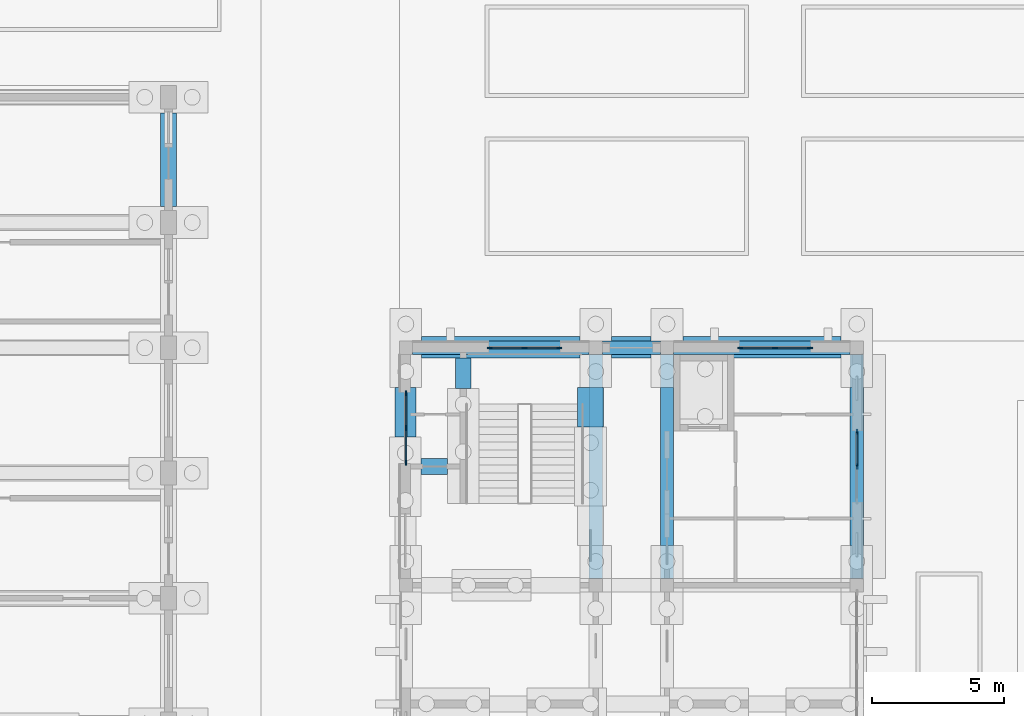
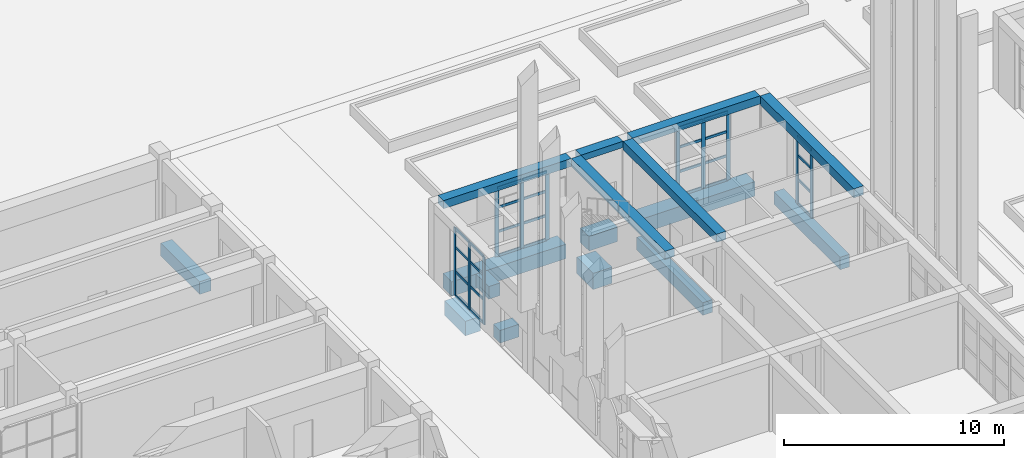
# One storey, part 29 of 161: 39 members, 16 beams, 4 elements without a shape of their own.
"""IFC4 building model written with IfcOpenShell, lengths in metres."""

from ifc_helpers import new_model, si_unit, direction, frame, origin, origin_2d, place, context, subcontext, project, spatial, rectangle, extrude, material, layer, layer_set, material_profile, profile_set, type_object, element, aggregate, save


model = new_model("IFC4")

# Units and contexts
model_context = context("Model", 3, precision=1e-05, world=origin(), true_north=direction((0.0, 1.0)))
body_context = subcontext(model_context, "Body", "Model", "MODEL_VIEW")
ifc_project = project(units=[si_unit("LENGTHUNIT", "METRE"), si_unit("AREAUNIT", "SQUARE_METRE"), si_unit("VOLUMEUNIT", "CUBIC_METRE"), si_unit("PLANEANGLEUNIT", "RADIAN"), si_unit("MASSUNIT", "GRAM", prefix="KILO")], contexts=[model_context])

# Site, building, storey
site_placement = place(None, origin())
site = spatial("IfcSite", under=ifc_project, at=site_placement, CompositionType="ELEMENT")
building_placement = place(site_placement, origin())
building = spatial("IfcBuilding", under=site, at=building_placement, Name="Elbe Cascade School", CompositionType="ELEMENT")
storey_placement = place(building_placement, origin())
storey = spatial("IfcBuildingStorey", under=building, at=storey_placement, Name="L00", CompositionType="ELEMENT", Elevation=0.0)

# Curtain wall, members
ifc_material_1 = material(Name="Aluminium frame with double glazing, bronze anodised", Category="aluminium")
ifc_layer = layer(ifc_material_1, 0.199951171875)
ifc_layer_set = layer_set([ifc_layer], Name="Aluminium frame with double glazing, bronze anodised")
curtain_wall_type = type_object("IfcCurtainWallType", Name="Bars envelope Curtain wall, aluminium, bronze anodised, ground floor tall run", PredefinedType="NOTDEFINED", material=ifc_layer_set)
curtain_wall_1_placement = place(storey_placement, origin())
curtain_wall_1 = element("IfcCurtainWall", 1, at=curtain_wall_1_placement, inside=storey, type_object=curtain_wall_type, Name="Curtain wall CW3 A.L00.w6", PredefinedType="NOTDEFINED")
ifc_material_2 = material(Name="Aluminium mullion, bronze anodised", Category="aluminium")
ifc_material_profile_1 = material_profile(ifc_material_2, rectangle(XDim=0.06005859375, YDim=0.199951171875, at=origin_2d()), Name="Bars envelope Curtain wall mullion 60 x 200, aluminium, ground floor tall run")
ifc_profile_set_1 = profile_set([ifc_material_profile_1], Name="Aluminium mullion, bronze anodised")
member_type_1 = type_object("IfcMemberType", Name="Bars envelope Curtain wall mullion 60 x 200, aluminium, ground floor tall run", PredefinedType="MULLION", material=ifc_profile_set_1)
member_1_placement = place(storey_placement, frame((69.0, 55.639892578125, 0.0), z_axis=(0.0, 0.0, 1.0), x_axis=(-1.0, 0.0, 0.0)))
member_1 = element("IfcMember", 2, at=member_1_placement, type_object=member_type_1, Name="CW3 mullion 1", PredefinedType="MULLION", context=body_context, shape_type="SweptSolid", body=[
    extrude(rectangle(XDim=0.06005859375, YDim=0.199951171875, at=origin_2d()), origin(), (0.0, 0.0, 1.0), 3.75),
])
member_2_placement = place(storey_placement, frame((69.0, 56.9599609375, 0.0), z_axis=(0.0, 0.0, 1.0), x_axis=(-1.0, 0.0, 0.0)))
member_2 = element("IfcMember", 3, at=member_2_placement, type_object=member_type_1, Name="CW3 mullion 2", PredefinedType="MULLION", context=body_context, shape_type="SweptSolid", body=[
    extrude(rectangle(XDim=0.06005859375, YDim=0.199951171875, at=origin_2d()), origin(), (0.0, 0.0, 1.0), 3.75),
])
member_3_placement = place(storey_placement, frame((69.0, 58.280029296875, 0.0), z_axis=(0.0, 0.0, 1.0), x_axis=(-1.0, 0.0, 0.0)))
member_3 = element("IfcMember", 4, at=member_3_placement, type_object=member_type_1, Name="CW3 mullion 3", PredefinedType="MULLION", context=body_context, shape_type="SweptSolid", body=[
    extrude(rectangle(XDim=0.06005859375, YDim=0.199951171875, at=origin_2d()), origin(), (0.0, 0.0, 1.0), 3.75),
])

curtain_wall_2_placement = place(storey_placement, origin())
curtain_wall_2 = element("IfcCurtainWall", 5, at=curtain_wall_2_placement, inside=storey, type_object=curtain_wall_type, Name="Curtain wall CW3 A.L00.e6", PredefinedType="NOTDEFINED")
member_4_placement = place(storey_placement, frame((86.10009765625, 56.820068359375, 0.0), z_axis=(0.0, 0.0, 1.0), x_axis=(1.0, 0.0, 0.0)))
member_4 = element("IfcMember", 6, at=member_4_placement, type_object=member_type_1, Name="CW3 mullion 1", PredefinedType="MULLION", context=body_context, shape_type="SweptSolid", body=[
    extrude(rectangle(XDim=0.06005859375, YDim=0.199951171875, at=origin_2d()), origin(), (0.0, 0.0, 1.0), 3.75),
])
member_5_placement = place(storey_placement, frame((86.10009765625, 55.5, 0.0), z_axis=(0.0, 0.0, 1.0), x_axis=(1.0, 0.0, 0.0)))
member_5 = element("IfcMember", 7, at=member_5_placement, type_object=member_type_1, Name="CW3 mullion 2", PredefinedType="MULLION", context=body_context, shape_type="SweptSolid", body=[
    extrude(rectangle(XDim=0.06005859375, YDim=0.199951171875, at=origin_2d()), origin(), (0.0, 0.0, 1.0), 3.75),
])

curtain_wall_3_placement = place(storey_placement, origin())
curtain_wall_3 = element("IfcCurtainWall", 8, at=curtain_wall_3_placement, inside=storey, type_object=curtain_wall_type, Name="Curtain wall CW3 A.L00.n1", PredefinedType="NOTDEFINED")
member_6_placement = place(storey_placement, frame((72.179931640625, 60.0, 0.0), z_axis=(0.0, 0.0, 1.0), x_axis=(0.0, 1.0, 0.0)))
member_6 = element("IfcMember", 9, at=member_6_placement, type_object=member_type_1, Name="CW3 mullion 1", PredefinedType="MULLION", context=body_context, shape_type="SweptSolid", body=[
    extrude(rectangle(XDim=0.06005859375, YDim=0.199951171875, at=origin_2d()), origin(), (0.0, 0.0, 1.0), 3.800048828125),
])
member_7_placement = place(storey_placement, frame((73.5, 60.0, 0.0), z_axis=(0.0, 0.0, 1.0), x_axis=(0.0, 1.0, 0.0)))
member_7 = element("IfcMember", 10, at=member_7_placement, type_object=member_type_1, Name="CW3 mullion 2", PredefinedType="MULLION", context=body_context, shape_type="SweptSolid", body=[
    extrude(rectangle(XDim=0.06005859375, YDim=0.199951171875, at=origin_2d()), origin(), (0.0, 0.0, 1.0), 3.800048828125),
])
member_8_placement = place(storey_placement, frame((74.820068359375, 60.0, 0.0), z_axis=(0.0, 0.0, 1.0), x_axis=(0.0, 1.0, 0.0)))
member_8 = element("IfcMember", 11, at=member_8_placement, type_object=member_type_1, Name="CW3 mullion 3", PredefinedType="MULLION", context=body_context, shape_type="SweptSolid", body=[
    extrude(rectangle(XDim=0.06005859375, YDim=0.199951171875, at=origin_2d()), origin(), (0.0, 0.0, 1.0), 3.800048828125),
])

curtain_wall_4_placement = place(storey_placement, origin())
curtain_wall_4 = element("IfcCurtainWall", 12, at=curtain_wall_4_placement, inside=storey, type_object=curtain_wall_type, Name="Curtain wall CW3 A.L00.n3", PredefinedType="NOTDEFINED")
member_9_placement = place(storey_placement, frame((81.679931640625, 60.0, 0.0), z_axis=(0.0, 0.0, 1.0), x_axis=(0.0, 1.0, 0.0)))
member_9 = element("IfcMember", 13, at=member_9_placement, type_object=member_type_1, Name="CW3 mullion 1", PredefinedType="MULLION", context=body_context, shape_type="SweptSolid", body=[
    extrude(rectangle(XDim=0.06005859375, YDim=0.199951171875, at=origin_2d()), origin(), (0.0, 0.0, 1.0), 3.800048828125),
])
member_10_placement = place(storey_placement, frame((83.0, 60.0, 0.0), z_axis=(0.0, 0.0, 1.0), x_axis=(0.0, 1.0, 0.0)))
member_10 = element("IfcMember", 14, at=member_10_placement, type_object=member_type_1, Name="CW3 mullion 2", PredefinedType="MULLION", context=body_context, shape_type="SweptSolid", body=[
    extrude(rectangle(XDim=0.06005859375, YDim=0.199951171875, at=origin_2d()), origin(), (0.0, 0.0, 1.0), 3.800048828125),
])
member_11_placement = place(storey_placement, frame((84.320068359375, 60.0, 0.0), z_axis=(0.0, 0.0, 1.0), x_axis=(0.0, 1.0, 0.0)))
member_11 = element("IfcMember", 15, at=member_11_placement, type_object=member_type_1, Name="CW3 mullion 3", PredefinedType="MULLION", context=body_context, shape_type="SweptSolid", body=[
    extrude(rectangle(XDim=0.06005859375, YDim=0.199951171875, at=origin_2d()), origin(), (0.0, 0.0, 1.0), 3.800048828125),
])

# Member
ifc_material_3 = material(Name="Aluminium transom, bronze anodised", Category="aluminium")
ifc_material_profile_2 = material_profile(ifc_material_3, rectangle(XDim=0.06005859375, YDim=0.139892578125, at=origin_2d()), Name="Bars envelope Curtain wall transom 60 x 140, aluminium, ground floor tall run")
ifc_profile_set_2 = profile_set([ifc_material_profile_2], Name="Aluminium transom, bronze anodised")
member_type_2 = type_object("IfcMemberType", Name="Bars envelope Curtain wall transom 60 x 140, aluminium, ground floor tall run", PredefinedType="USERDEFINED", material=ifc_profile_set_2)
member_12_placement = place(storey_placement, frame((69.0, 55.669921875, 0.030029296875), z_axis=(0.0, 1.0, 0.0), x_axis=(-1.0, 0.0, 0.0)))
member_12 = element("IfcMember", 16, at=member_12_placement, type_object=member_type_2, Name="CW3 transom 1.1", ObjectType="TRANSOM", PredefinedType="USERDEFINED", context=body_context, shape_type="SweptSolid", body=[
    extrude(rectangle(XDim=0.06005859375, YDim=0.139892578125, at=origin_2d()), origin(), (0.0, 0.0, 1.0), 1.260009765625),
])

member_13_placement = place(storey_placement, frame((69.0, 55.669921875, 1.35009765625), z_axis=(0.0, 1.0, 0.0), x_axis=(-1.0, 0.0, 0.0)))
member_13 = element("IfcMember", 17, at=member_13_placement, type_object=member_type_2, Name="CW3 transom 1.2", ObjectType="TRANSOM", PredefinedType="USERDEFINED", context=body_context, shape_type="SweptSolid", body=[
    extrude(rectangle(XDim=0.06005859375, YDim=0.139892578125, at=origin_2d()), origin(), (0.0, 0.0, 1.0), 1.260009765625),
])

member_14_placement = place(storey_placement, frame((69.0, 55.669921875, 2.699951171875), z_axis=(0.0, 1.0, 0.0), x_axis=(-1.0, 0.0, 0.0)))
member_14 = element("IfcMember", 18, at=member_14_placement, type_object=member_type_2, Name="CW3 transom 1.3", ObjectType="TRANSOM", PredefinedType="USERDEFINED", context=body_context, shape_type="SweptSolid", body=[
    extrude(rectangle(XDim=0.06005859375, YDim=0.139892578125, at=origin_2d()), origin(), (0.0, 0.0, 1.0), 1.260009765625),
])

member_15_placement = place(storey_placement, frame((69.0, 55.669921875, 3.719970703125), z_axis=(0.0, 1.0, 0.0), x_axis=(-1.0, 0.0, 0.0)))
member_15 = element("IfcMember", 19, at=member_15_placement, type_object=member_type_2, Name="CW3 transom 1.4", ObjectType="TRANSOM", PredefinedType="USERDEFINED", context=body_context, shape_type="SweptSolid", body=[
    extrude(rectangle(XDim=0.06005859375, YDim=0.139892578125, at=origin_2d()), origin(), (0.0, 0.0, 1.0), 1.260009765625),
])

member_16_placement = place(storey_placement, frame((69.0, 56.989990234375, 0.030029296875), z_axis=(0.0, 1.0, 0.0), x_axis=(-1.0, 0.0, 0.0)))
member_16 = element("IfcMember", 20, at=member_16_placement, type_object=member_type_2, Name="CW3 transom 2.1", ObjectType="TRANSOM", PredefinedType="USERDEFINED", context=body_context, shape_type="SweptSolid", body=[
    extrude(rectangle(XDim=0.06005859375, YDim=0.139892578125, at=origin_2d()), origin(), (0.0, 0.0, 1.0), 1.260009765625),
])

member_17_placement = place(storey_placement, frame((69.0, 56.989990234375, 1.35009765625), z_axis=(0.0, 1.0, 0.0), x_axis=(-1.0, 0.0, 0.0)))
member_17 = element("IfcMember", 21, at=member_17_placement, type_object=member_type_2, Name="CW3 transom 2.2", ObjectType="TRANSOM", PredefinedType="USERDEFINED", context=body_context, shape_type="SweptSolid", body=[
    extrude(rectangle(XDim=0.06005859375, YDim=0.139892578125, at=origin_2d()), origin(), (0.0, 0.0, 1.0), 1.260009765625),
])

member_18_placement = place(storey_placement, frame((69.0, 56.989990234375, 2.699951171875), z_axis=(0.0, 1.0, 0.0), x_axis=(-1.0, 0.0, 0.0)))
member_18 = element("IfcMember", 22, at=member_18_placement, type_object=member_type_2, Name="CW3 transom 2.3", ObjectType="TRANSOM", PredefinedType="USERDEFINED", context=body_context, shape_type="SweptSolid", body=[
    extrude(rectangle(XDim=0.06005859375, YDim=0.139892578125, at=origin_2d()), origin(), (0.0, 0.0, 1.0), 1.260009765625),
])

member_19_placement = place(storey_placement, frame((69.0, 56.989990234375, 3.719970703125), z_axis=(0.0, 1.0, 0.0), x_axis=(-1.0, 0.0, 0.0)))
member_19 = element("IfcMember", 23, at=member_19_placement, type_object=member_type_2, Name="CW3 transom 2.4", ObjectType="TRANSOM", PredefinedType="USERDEFINED", context=body_context, shape_type="SweptSolid", body=[
    extrude(rectangle(XDim=0.06005859375, YDim=0.139892578125, at=origin_2d()), origin(), (0.0, 0.0, 1.0), 1.260009765625),
])

aggregate(curtain_wall_1, [member_1, member_2, member_3, member_12, member_13, member_14, member_15, member_16, member_17, member_18, member_19])

member_20_placement = place(storey_placement, frame((86.10009765625, 56.7900390625, 0.030029296875), z_axis=(0.0, -1.0, 0.0), x_axis=(1.0, 0.0, 0.0)))
member_20 = element("IfcMember", 24, at=member_20_placement, type_object=member_type_2, Name="CW3 transom 1.1", ObjectType="TRANSOM", PredefinedType="USERDEFINED", context=body_context, shape_type="SweptSolid", body=[
    extrude(rectangle(XDim=0.06005859375, YDim=0.139892578125, at=origin_2d()), origin(), (0.0, 0.0, 1.0), 1.260009765625),
])

member_21_placement = place(storey_placement, frame((86.10009765625, 56.7900390625, 1.35009765625), z_axis=(0.0, -1.0, 0.0), x_axis=(1.0, 0.0, 0.0)))
member_21 = element("IfcMember", 25, at=member_21_placement, type_object=member_type_2, Name="CW3 transom 1.2", ObjectType="TRANSOM", PredefinedType="USERDEFINED", context=body_context, shape_type="SweptSolid", body=[
    extrude(rectangle(XDim=0.06005859375, YDim=0.139892578125, at=origin_2d()), origin(), (0.0, 0.0, 1.0), 1.260009765625),
])

member_22_placement = place(storey_placement, frame((86.10009765625, 56.7900390625, 2.699951171875), z_axis=(0.0, -1.0, 0.0), x_axis=(1.0, 0.0, 0.0)))
member_22 = element("IfcMember", 26, at=member_22_placement, type_object=member_type_2, Name="CW3 transom 1.3", ObjectType="TRANSOM", PredefinedType="USERDEFINED", context=body_context, shape_type="SweptSolid", body=[
    extrude(rectangle(XDim=0.06005859375, YDim=0.139892578125, at=origin_2d()), origin(), (0.0, 0.0, 1.0), 1.260009765625),
])

member_23_placement = place(storey_placement, frame((86.10009765625, 56.7900390625, 3.719970703125), z_axis=(0.0, -1.0, 0.0), x_axis=(1.0, 0.0, 0.0)))
member_23 = element("IfcMember", 27, at=member_23_placement, type_object=member_type_2, Name="CW3 transom 1.4", ObjectType="TRANSOM", PredefinedType="USERDEFINED", context=body_context, shape_type="SweptSolid", body=[
    extrude(rectangle(XDim=0.06005859375, YDim=0.139892578125, at=origin_2d()), origin(), (0.0, 0.0, 1.0), 1.260009765625),
])

aggregate(curtain_wall_2, [member_4, member_5, member_20, member_21, member_22, member_23])

member_24_placement = place(storey_placement, frame((72.2099609375, 60.0, 0.030029296875), z_axis=(1.0, 0.0, 0.0), x_axis=(0.0, 1.0, 0.0)))
member_24 = element("IfcMember", 28, at=member_24_placement, type_object=member_type_2, Name="CW3 transom 1.1", ObjectType="TRANSOM", PredefinedType="USERDEFINED", context=body_context, shape_type="SweptSolid", body=[
    extrude(rectangle(XDim=0.06005859375, YDim=0.139892578125, at=origin_2d()), origin(), (0.0, 0.0, 1.0), 1.260009765625),
])

member_25_placement = place(storey_placement, frame((72.2099609375, 60.0, 1.35009765625), z_axis=(1.0, 0.0, 0.0), x_axis=(0.0, 1.0, 0.0)))
member_25 = element("IfcMember", 29, at=member_25_placement, type_object=member_type_2, Name="CW3 transom 1.2", ObjectType="TRANSOM", PredefinedType="USERDEFINED", context=body_context, shape_type="SweptSolid", body=[
    extrude(rectangle(XDim=0.06005859375, YDim=0.139892578125, at=origin_2d()), origin(), (0.0, 0.0, 1.0), 1.260009765625),
])

member_26_placement = place(storey_placement, frame((72.2099609375, 60.0, 2.699951171875), z_axis=(1.0, 0.0, 0.0), x_axis=(0.0, 1.0, 0.0)))
member_26 = element("IfcMember", 30, at=member_26_placement, type_object=member_type_2, Name="CW3 transom 1.3", ObjectType="TRANSOM", PredefinedType="USERDEFINED", context=body_context, shape_type="SweptSolid", body=[
    extrude(rectangle(XDim=0.06005859375, YDim=0.139892578125, at=origin_2d()), origin(), (0.0, 0.0, 1.0), 1.260009765625),
])

member_27_placement = place(storey_placement, frame((72.2099609375, 60.0, 3.77001953125), z_axis=(1.0, 0.0, 0.0), x_axis=(0.0, 1.0, 0.0)))
member_27 = element("IfcMember", 31, at=member_27_placement, type_object=member_type_2, Name="CW3 transom 1.4", ObjectType="TRANSOM", PredefinedType="USERDEFINED", context=body_context, shape_type="SweptSolid", body=[
    extrude(rectangle(XDim=0.06005859375, YDim=0.139892578125, at=origin_2d()), origin(), (0.0, 0.0, 1.0), 1.260009765625),
])

member_28_placement = place(storey_placement, frame((73.530029296875, 60.0, 0.030029296875), z_axis=(1.0, 0.0, 0.0), x_axis=(0.0, 1.0, 0.0)))
member_28 = element("IfcMember", 32, at=member_28_placement, type_object=member_type_2, Name="CW3 transom 2.1", ObjectType="TRANSOM", PredefinedType="USERDEFINED", context=body_context, shape_type="SweptSolid", body=[
    extrude(rectangle(XDim=0.06005859375, YDim=0.139892578125, at=origin_2d()), origin(), (0.0, 0.0, 1.0), 1.260009765625),
])

member_29_placement = place(storey_placement, frame((73.530029296875, 60.0, 1.35009765625), z_axis=(1.0, 0.0, 0.0), x_axis=(0.0, 1.0, 0.0)))
member_29 = element("IfcMember", 33, at=member_29_placement, type_object=member_type_2, Name="CW3 transom 2.2", ObjectType="TRANSOM", PredefinedType="USERDEFINED", context=body_context, shape_type="SweptSolid", body=[
    extrude(rectangle(XDim=0.06005859375, YDim=0.139892578125, at=origin_2d()), origin(), (0.0, 0.0, 1.0), 1.260009765625),
])

member_30_placement = place(storey_placement, frame((73.530029296875, 60.0, 2.699951171875), z_axis=(1.0, 0.0, 0.0), x_axis=(0.0, 1.0, 0.0)))
member_30 = element("IfcMember", 34, at=member_30_placement, type_object=member_type_2, Name="CW3 transom 2.3", ObjectType="TRANSOM", PredefinedType="USERDEFINED", context=body_context, shape_type="SweptSolid", body=[
    extrude(rectangle(XDim=0.06005859375, YDim=0.139892578125, at=origin_2d()), origin(), (0.0, 0.0, 1.0), 1.260009765625),
])

member_31_placement = place(storey_placement, frame((73.530029296875, 60.0, 3.77001953125), z_axis=(1.0, 0.0, 0.0), x_axis=(0.0, 1.0, 0.0)))
member_31 = element("IfcMember", 35, at=member_31_placement, type_object=member_type_2, Name="CW3 transom 2.4", ObjectType="TRANSOM", PredefinedType="USERDEFINED", context=body_context, shape_type="SweptSolid", body=[
    extrude(rectangle(XDim=0.06005859375, YDim=0.139892578125, at=origin_2d()), origin(), (0.0, 0.0, 1.0), 1.260009765625),
])

aggregate(curtain_wall_3, [member_6, member_7, member_8, member_24, member_25, member_26, member_27, member_28, member_29, member_30, member_31])

member_32_placement = place(storey_placement, frame((81.7099609375, 60.0, 0.030029296875), z_axis=(1.0, 0.0, 0.0), x_axis=(0.0, 1.0, 0.0)))
member_32 = element("IfcMember", 36, at=member_32_placement, type_object=member_type_2, Name="CW3 transom 1.1", ObjectType="TRANSOM", PredefinedType="USERDEFINED", context=body_context, shape_type="SweptSolid", body=[
    extrude(rectangle(XDim=0.06005859375, YDim=0.139892578125, at=origin_2d()), origin(), (0.0, 0.0, 1.0), 1.260009765625),
])

member_33_placement = place(storey_placement, frame((81.7099609375, 60.0, 1.35009765625), z_axis=(1.0, 0.0, 0.0), x_axis=(0.0, 1.0, 0.0)))
member_33 = element("IfcMember", 37, at=member_33_placement, type_object=member_type_2, Name="CW3 transom 1.2", ObjectType="TRANSOM", PredefinedType="USERDEFINED", context=body_context, shape_type="SweptSolid", body=[
    extrude(rectangle(XDim=0.06005859375, YDim=0.139892578125, at=origin_2d()), origin(), (0.0, 0.0, 1.0), 1.260009765625),
])

member_34_placement = place(storey_placement, frame((81.7099609375, 60.0, 2.699951171875), z_axis=(1.0, 0.0, 0.0), x_axis=(0.0, 1.0, 0.0)))
member_34 = element("IfcMember", 38, at=member_34_placement, type_object=member_type_2, Name="CW3 transom 1.3", ObjectType="TRANSOM", PredefinedType="USERDEFINED", context=body_context, shape_type="SweptSolid", body=[
    extrude(rectangle(XDim=0.06005859375, YDim=0.139892578125, at=origin_2d()), origin(), (0.0, 0.0, 1.0), 1.260009765625),
])

member_35_placement = place(storey_placement, frame((81.7099609375, 60.0, 3.77001953125), z_axis=(1.0, 0.0, 0.0), x_axis=(0.0, 1.0, 0.0)))
member_35 = element("IfcMember", 39, at=member_35_placement, type_object=member_type_2, Name="CW3 transom 1.4", ObjectType="TRANSOM", PredefinedType="USERDEFINED", context=body_context, shape_type="SweptSolid", body=[
    extrude(rectangle(XDim=0.06005859375, YDim=0.139892578125, at=origin_2d()), origin(), (0.0, 0.0, 1.0), 1.260009765625),
])

member_36_placement = place(storey_placement, frame((83.030029296875, 60.0, 0.030029296875), z_axis=(1.0, 0.0, 0.0), x_axis=(0.0, 1.0, 0.0)))
member_36 = element("IfcMember", 40, at=member_36_placement, type_object=member_type_2, Name="CW3 transom 2.1", ObjectType="TRANSOM", PredefinedType="USERDEFINED", context=body_context, shape_type="SweptSolid", body=[
    extrude(rectangle(XDim=0.06005859375, YDim=0.139892578125, at=origin_2d()), origin(), (0.0, 0.0, 1.0), 1.260009765625),
])

member_37_placement = place(storey_placement, frame((83.030029296875, 60.0, 1.35009765625), z_axis=(1.0, 0.0, 0.0), x_axis=(0.0, 1.0, 0.0)))
member_37 = element("IfcMember", 41, at=member_37_placement, type_object=member_type_2, Name="CW3 transom 2.2", ObjectType="TRANSOM", PredefinedType="USERDEFINED", context=body_context, shape_type="SweptSolid", body=[
    extrude(rectangle(XDim=0.06005859375, YDim=0.139892578125, at=origin_2d()), origin(), (0.0, 0.0, 1.0), 1.260009765625),
])

member_38_placement = place(storey_placement, frame((83.030029296875, 60.0, 2.699951171875), z_axis=(1.0, 0.0, 0.0), x_axis=(0.0, 1.0, 0.0)))
member_38 = element("IfcMember", 42, at=member_38_placement, type_object=member_type_2, Name="CW3 transom 2.3", ObjectType="TRANSOM", PredefinedType="USERDEFINED", context=body_context, shape_type="SweptSolid", body=[
    extrude(rectangle(XDim=0.06005859375, YDim=0.139892578125, at=origin_2d()), origin(), (0.0, 0.0, 1.0), 1.260009765625),
])

member_39_placement = place(storey_placement, frame((83.030029296875, 60.0, 3.77001953125), z_axis=(1.0, 0.0, 0.0), x_axis=(0.0, 1.0, 0.0)))
member_39 = element("IfcMember", 43, at=member_39_placement, type_object=member_type_2, Name="CW3 transom 2.4", ObjectType="TRANSOM", PredefinedType="USERDEFINED", context=body_context, shape_type="SweptSolid", body=[
    extrude(rectangle(XDim=0.06005859375, YDim=0.139892578125, at=origin_2d()), origin(), (0.0, 0.0, 1.0), 1.260009765625),
])

aggregate(curtain_wall_4, [member_9, member_10, member_11, member_32, member_33, member_34, member_35, member_36, member_37, member_38, member_39])

# Beams
ifc_material_4 = material(Name="Concrete C30/37", Category="concrete")
ifc_material_profile_3 = material_profile(ifc_material_4, rectangle(XDim=1.0, YDim=0.89990234375, at=origin_2d()), Name="RC 1000x900")
ifc_profile_set_3 = profile_set([ifc_material_profile_3], Name="Concrete C30/37")
beam_type_1 = type_object("IfcBeamType", Name="Found ground beam RC 1000x900", PredefinedType="BEAM", material=ifc_profile_set_3)
beam_1_placement = place(storey_placement, frame((76.0, 57.0, -0.75), z_axis=(0.0, 1.0, 0.0), x_axis=(-1.0, 0.0, 0.0)))
element("IfcBeam", 44, at=beam_1_placement, inside=storey, type_object=beam_type_1, Name="Ground beam 053", PredefinedType="BEAM", context=body_context, shape_type="SweptSolid", body=[
    extrude(rectangle(XDim=1.0, YDim=0.89990234375, at=origin_2d()), origin(), (0.0, 0.0, 1.0), 1.5),
])
ifc_material_5 = material(Name="Concrete C30/37", Category="concrete")
ifc_material_profile_4 = material_profile(ifc_material_5, rectangle(XDim=0.5, YDim=0.699951171875, at=origin_2d()), Name="RC 500x700")
ifc_profile_set_4 = profile_set([ifc_material_profile_4], Name="Concrete C30/37")
beam_type_2 = type_object("IfcBeamType", Name="Found ground beam RC 500x700", PredefinedType="BEAM", material=ifc_profile_set_4)
for number, where, z_axis, x_axis, name in (
    (45, (78.89990234375, 52.5, -0.64990234375), (0.0, 1.0, 0.0), (-1.0, 0.0, 0.0), "Ground beam 202"),
    (46, (86.10009765625, 52.5, -0.64990234375), (0.0, 1.0, 0.0), (-1.0, 0.0, 0.0), "Ground beam 209"),
):
    element("IfcBeam", number, at=place(storey_placement, frame(where, z_axis=z_axis, x_axis=x_axis)), inside=storey, type_object=beam_type_2, Name=name, PredefinedType="BEAM", context=body_context, shape_type="SweptSolid", body=[
        extrude(rectangle(XDim=0.5, YDim=0.699951171875, at=origin_2d()), origin(), (0.0, 0.0, 1.0), 6.0),
    ])
ifc_material_6 = material(Name="Concrete C30/37", Category="concrete")
ifc_material_profile_5 = material_profile(ifc_material_6, rectangle(XDim=0.60009765625, YDim=0.699951171875, at=origin_2d()), Name="RC 600x700")
ifc_profile_set_5 = profile_set([ifc_material_profile_5], Name="Concrete C30/37")
beam_type_3 = type_object("IfcBeamType", Name="Found ground beam RC 600x700", PredefinedType="BEAM", material=ifc_profile_set_5)
beam_2_placement = place(storey_placement, frame((60.0, 65.35009765625, -0.64990234375), z_axis=(0.0, 1.0, 0.0), x_axis=(-1.0, 0.0, 0.0)))
element("IfcBeam", 47, at=beam_2_placement, inside=storey, type_object=beam_type_3, Name="Ground beam 095", PredefinedType="BEAM", context=body_context, shape_type="SweptSolid", body=[
    extrude(rectangle(XDim=0.60009765625, YDim=0.699951171875, at=origin_2d()), origin(), (0.0, 0.0, 1.0), 3.5498046875),
])
beam_3_placement = place(storey_placement, frame((71.175048828125, 58.4599609375, -0.64990234375), z_axis=(0.0, 1.0, 0.0), x_axis=(-1.0, 0.0, 0.0)))
element("IfcBeam", 48, at=beam_3_placement, inside=storey, type_object=beam_type_3, Name="Ground beam 164", PredefinedType="BEAM", context=body_context, shape_type="SweptSolid", body=[
    extrude(rectangle(XDim=0.60009765625, YDim=0.699951171875, at=origin_2d()), origin(), (0.0, 0.0, 1.0), 1.16015625),
])
beam_4_placement = place(storey_placement, frame((69.580078125, 55.5, -0.64990234375), z_axis=(1.0, 0.0, 0.0), x_axis=(0.0, 1.0, 0.0)))
element("IfcBeam", 49, at=beam_4_placement, inside=storey, type_object=beam_type_3, Name="Ground beam 177", PredefinedType="BEAM", context=body_context, shape_type="SweptSolid", body=[
    extrude(rectangle(XDim=0.60009765625, YDim=0.699951171875, at=origin_2d()), origin(), (0.0, 0.0, 1.0), 0.994873046875),
])
ifc_material_7 = material(Name="Concrete C30/37", Category="concrete")
ifc_material_profile_6 = material_profile(ifc_material_7, rectangle(XDim=0.800048828125, YDim=0.800048828125, at=origin_2d()), Name="RC 800x800")
ifc_profile_set_6 = profile_set([ifc_material_profile_6], Name="Concrete C30/37")
beam_type_4 = type_object("IfcBeamType", Name="Found ground beam RC 800x800", PredefinedType="BEAM", material=ifc_profile_set_6)
beam_5_placement = place(storey_placement, frame((69.60009765625, 60.02001953125, -0.699951171875), z_axis=(1.0, 0.0, 0.0), x_axis=(0.0, 1.0, 0.0)))
element("IfcBeam", 50, at=beam_5_placement, inside=storey, type_object=beam_type_4, Name="Ground beam 065", PredefinedType="BEAM", context=body_context, shape_type="SweptSolid", body=[
    extrude(rectangle(XDim=0.800048828125, YDim=0.800048828125, at=origin_2d()), origin(), (0.0, 0.0, 1.0), 6.0),
])
beam_6_placement = place(storey_placement, frame((76.800048828125, 60.02001953125, -0.699951171875), z_axis=(1.0, 0.0, 0.0), x_axis=(0.0, 1.0, 0.0)))
element("IfcBeam", 51, at=beam_6_placement, inside=storey, type_object=beam_type_4, Name="Ground beam 066", PredefinedType="BEAM", context=body_context, shape_type="SweptSolid", body=[
    extrude(rectangle(XDim=0.800048828125, YDim=0.800048828125, at=origin_2d()), origin(), (0.0, 0.0, 1.0), 1.5),
])
beam_7_placement = place(storey_placement, frame((79.5, 60.02001953125, -0.699951171875), z_axis=(1.0, 0.0, 0.0), x_axis=(0.0, 1.0, 0.0)))
element("IfcBeam", 52, at=beam_7_placement, inside=storey, type_object=beam_type_4, Name="Ground beam 067", PredefinedType="BEAM", context=body_context, shape_type="SweptSolid", body=[
    extrude(rectangle(XDim=0.800048828125, YDim=0.800048828125, at=origin_2d()), origin(), (0.0, 0.0, 1.0), 6.0),
])
beam_8_placement = place(storey_placement, frame((68.97998046875, 56.610107421875, -0.699951171875), z_axis=(0.0, 1.0, 0.0), x_axis=(-1.0, 0.0, 0.0)))
element("IfcBeam", 53, at=beam_8_placement, inside=storey, type_object=beam_type_4, Name="Ground beam 079", PredefinedType="BEAM", context=body_context, shape_type="SweptSolid", body=[
    extrude(rectangle(XDim=0.800048828125, YDim=0.800048828125, at=origin_2d()), origin(), (0.0, 0.0, 1.0), 1.889892578125),
])
ifc_material_8 = material(Name="Concrete C30/37", Category="concrete")
ifc_material_profile_7 = material_profile(ifc_material_8, rectangle(XDim=0.5, YDim=0.35009765625, at=origin_2d()), Name="RC 500x350")
ifc_profile_set_7 = profile_set([ifc_material_profile_7], Name="Concrete C30/37")
beam_type_5 = type_object("IfcBeamType", Name="RC 500x350 beam", PredefinedType="BEAM", material=ifc_profile_set_7)
beam_9_placement = place(storey_placement, frame((76.449951171875, 60.0, 4.074951171875), z_axis=(1.0, 0.0, 0.0), x_axis=(0.0, 1.0, 0.0)))
element("IfcBeam", 54, at=beam_9_placement, inside=storey, type_object=beam_type_5, Name="RC 500x350 beam B8", PredefinedType="BEAM", context=body_context, shape_type="SweptSolid", body=[
    extrude(rectangle(XDim=0.5, YDim=0.35009765625, at=origin_2d()), origin(), (0.0, 0.0, 1.0), 2.199951171875),
])
ifc_material_9 = material(Name="Concrete C30/37", Category="concrete")
ifc_material_profile_8 = material_profile(ifc_material_9, rectangle(XDim=0.5, YDim=0.449951171875, at=origin_2d()), Name="RC 500x450")
ifc_profile_set_8 = profile_set([ifc_material_profile_8], Name="Concrete C30/37")
beam_type_6 = type_object("IfcBeamType", Name="RC 500x450 beam", PredefinedType="BEAM", material=ifc_profile_set_8)
for number, where, z_axis, x_axis, name in (
    (55, (76.199951171875, 51.25, 4.02490234375), (0.0, 1.0, 0.0), (-1.0, 0.0, 0.0), "RC 500x450 beam B7"),
    (56, (78.89990234375, 51.25, 4.02490234375), (0.0, 1.0, 0.0), (-1.0, 0.0, 0.0), "RC 500x450 beam B7"),
):
    element("IfcBeam", number, at=place(storey_placement, frame(where, z_axis=z_axis, x_axis=x_axis)), inside=storey, type_object=beam_type_6, Name=name, PredefinedType="BEAM", context=body_context, shape_type="SweptSolid", body=[
        extrude(rectangle(XDim=0.5, YDim=0.449951171875, at=origin_2d()), origin(), (0.0, 0.0, 1.0), 8.5),
    ])
beam_10_placement = place(storey_placement, frame((69.25, 60.0, 4.02490234375), z_axis=(1.0, 0.0, 0.0), x_axis=(0.0, 1.0, 0.0)))
element("IfcBeam", 57, at=beam_10_placement, inside=storey, type_object=beam_type_6, Name="RC 500x450 beam B7", PredefinedType="BEAM", context=body_context, shape_type="SweptSolid", body=[
    extrude(rectangle(XDim=0.5, YDim=0.449951171875, at=origin_2d()), origin(), (0.0, 0.0, 1.0), 6.699951171875),
])
beam_11_placement = place(storey_placement, frame((79.14990234375, 60.0, 4.02490234375), z_axis=(1.0, 0.0, 0.0), x_axis=(0.0, 1.0, 0.0)))
element("IfcBeam", 58, at=beam_11_placement, inside=storey, type_object=beam_type_6, Name="RC 500x450 beam B7", PredefinedType="BEAM", context=body_context, shape_type="SweptSolid", body=[
    extrude(rectangle(XDim=0.5, YDim=0.449951171875, at=origin_2d()), origin(), (0.0, 0.0, 1.0), 6.7001953125),
])
ifc_material_10 = material(Name="Concrete C30/37", Category="concrete")
ifc_material_profile_9 = material_profile(ifc_material_10, rectangle(XDim=0.5, YDim=0.5, at=origin_2d()), Name="RC 500x500")
ifc_profile_set_9 = profile_set([ifc_material_profile_9], Name="Concrete C30/37")
beam_type_7 = type_object("IfcBeamType", Name="RC 500x500 beam", PredefinedType="BEAM", material=ifc_profile_set_9)
beam_12_placement = place(storey_placement, frame((86.10009765625, 51.25, 4.0), z_axis=(0.0, 1.0, 0.0), x_axis=(-1.0, 0.0, 0.0)))
element("IfcBeam", 59, at=beam_12_placement, inside=storey, type_object=beam_type_7, Name="RC 500x500 beam B6", PredefinedType="BEAM", context=body_context, shape_type="SweptSolid", body=[
    extrude(rectangle(XDim=0.5, YDim=0.5, at=origin_2d()), origin(), (0.0, 0.0, 1.0), 8.5),
])

save(model, "model.ifc")
